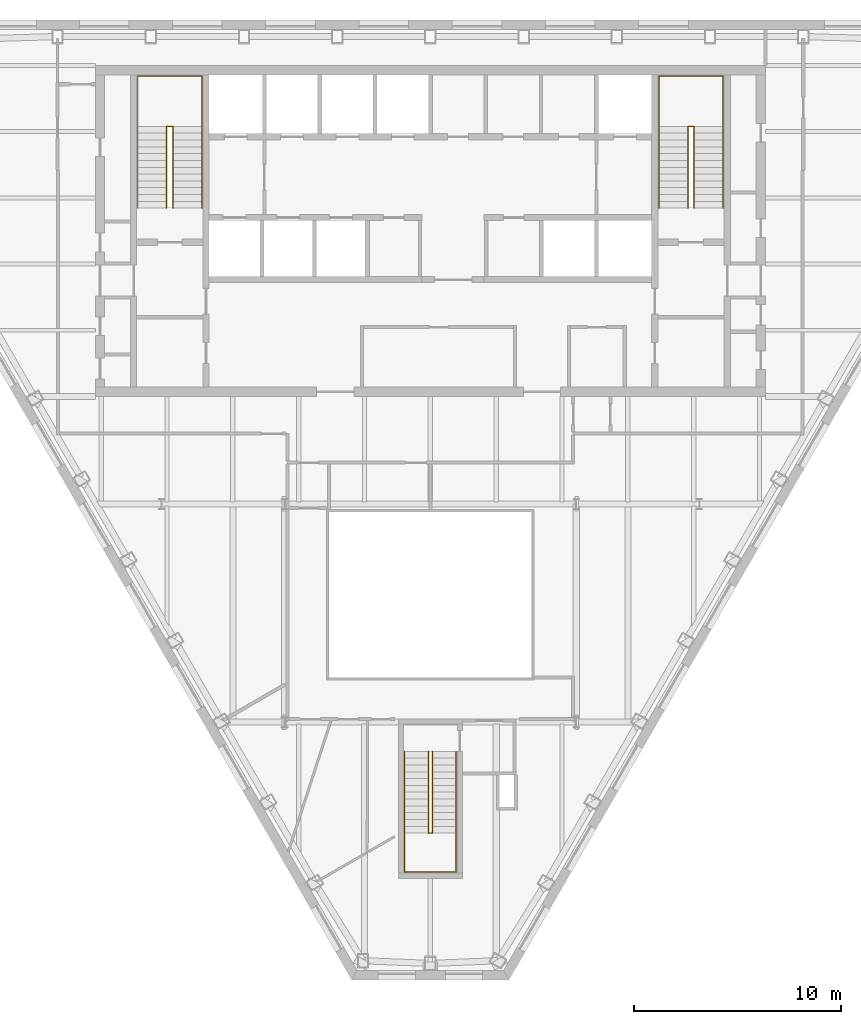
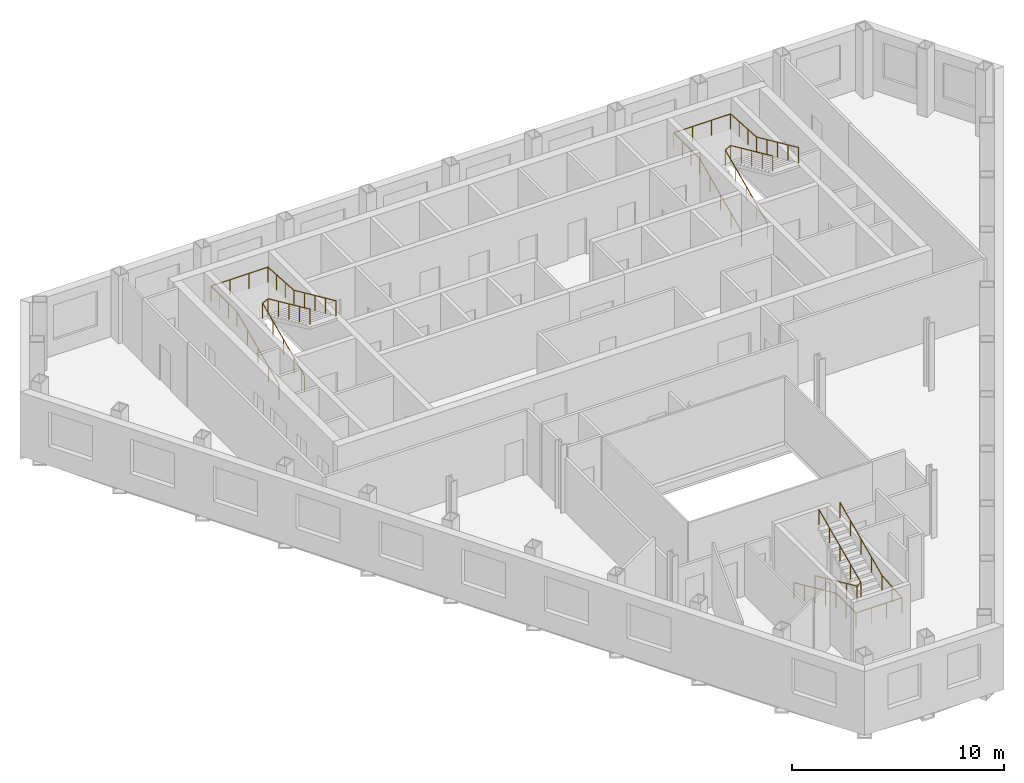
# One storey, part 10 of 10: 6 railings.
"""IFC4 building model written with IfcOpenShell, lengths in metres."""

from ifc_helpers import new_model, si_unit, direction, frame, origin, origin_2d, place, context, subcontext, project, spatial, circle, extrude, material, type_object, element, save


model = new_model("IFC4")

# Units and contexts
model_context = context("Model", 3, precision=1e-05, world=origin(), true_north=direction((0.0, 1.0)))
body_context = subcontext(model_context, "Body", "Model", "MODEL_VIEW")
ifc_project = project(units=[si_unit("LENGTHUNIT", "METRE"), si_unit("AREAUNIT", "SQUARE_METRE"), si_unit("VOLUMEUNIT", "CUBIC_METRE"), si_unit("PLANEANGLEUNIT", "RADIAN"), si_unit("MASSUNIT", "GRAM", prefix="KILO")], contexts=[model_context])

# Site, building, storey
site_placement = place(None, origin())
site = spatial("IfcSite", under=ifc_project, at=site_placement, CompositionType="ELEMENT")
building_placement = place(site_placement, origin())
building = spatial("IfcBuilding", under=site, at=building_placement, Name="Njiva Tower", CompositionType="ELEMENT")
storey_placement = place(building_placement, frame((0.0, 0.0, 192.6)))
storey = spatial("IfcBuildingStorey", under=building, at=storey_placement, Name="L42", CompositionType="ELEMENT", Elevation=192.6)

# Railings
ifc_material = material(Name="Stainless steel", Category="steel")
railing_type = type_object("IfcRailingType", Name="RL1 Stair handrail 900", PredefinedType="HANDRAIL", material=ifc_material)
railing_1_placement = place(storey_placement, frame((-14.15, 11.1, 0.15)))
element("IfcRailing", 1, at=railing_1_placement, inside=storey, type_object=railing_type, Name="Stair A handrail", PredefinedType="HANDRAIL", context=body_context, shape_type="SweptSolid", body=[
    extrude(circle(Radius=0.024, at=origin_2d()), frame((0.0, 0.0, 0.876), z_axis=(0.0, 0.910366477463, 0.413802944301), x_axis=(-1.0, 0.0, 0.0)), (0.0, 0.0, 1.0), 4.3499),
    extrude(circle(Radius=0.024, at=origin_2d()), frame((0.0, 3.96, 2.676), z_axis=(0.0, 1.0, 0.0), x_axis=(-1.0, 0.0, 0.0)), (0.0, 0.0, 1.0), 2.44),
    extrude(circle(Radius=0.024, at=origin_2d()), frame((0.0, 6.4, 2.676), z_axis=(1.0, 0.0, 0.0), x_axis=(0.0, 1.0, 0.0)), (0.0, 0.0, 1.0), 3.1),
    extrude(circle(Radius=0.024, at=origin_2d()), frame((3.1, 6.4, 2.676), z_axis=(0.0, -0.998115726137, 0.061359573328), x_axis=(1.0, 0.0, 0.0)), (0.0, 0.0, 1.0), 2.4446),
    extrude(circle(Radius=0.024, at=origin_2d()), frame((3.1, 3.96, 2.826), z_axis=(0.0, -0.910366477463, 0.413802944301), x_axis=(1.0, 0.0, 0.0)), (0.0, 0.0, 1.0), 4.3499),
    extrude(circle(Radius=0.021, at=origin_2d()), origin(), (0.0, 0.0, 1.0), 0.852),
    extrude(circle(Radius=0.021, at=origin_2d()), frame((0.0, 0.99, 0.45)), (0.0, 0.0, 1.0), 0.852),
    extrude(circle(Radius=0.021, at=origin_2d()), frame((0.0, 1.98, 0.9)), (0.0, 0.0, 1.0), 0.852),
    extrude(circle(Radius=0.021, at=origin_2d()), frame((0.0, 2.97, 1.35)), (0.0, 0.0, 1.0), 0.852),
    extrude(circle(Radius=0.021, at=origin_2d()), frame((0.0, 3.96, 1.8)), (0.0, 0.0, 1.0), 0.852),
    extrude(circle(Radius=0.021, at=origin_2d()), frame((0.0, 4.7733, 1.8)), (0.0, 0.0, 1.0), 0.852),
    extrude(circle(Radius=0.021, at=origin_2d()), frame((0.0, 5.5867, 1.8)), (0.0, 0.0, 1.0), 0.852),
    extrude(circle(Radius=0.021, at=origin_2d()), frame((0.0, 6.4, 1.8)), (0.0, 0.0, 1.0), 0.852),
    extrude(circle(Radius=0.021, at=origin_2d()), frame((1.0333, 6.4, 1.8)), (0.0, 0.0, 1.0), 0.852),
    extrude(circle(Radius=0.021, at=origin_2d()), frame((2.0667, 6.4, 1.8)), (0.0, 0.0, 1.0), 0.852),
    extrude(circle(Radius=0.021, at=origin_2d()), frame((3.1, 6.4, 1.8)), (0.0, 0.0, 1.0), 0.852),
    extrude(circle(Radius=0.021, at=origin_2d()), frame((3.1, 5.5867, 1.85)), (0.0, 0.0, 1.0), 0.852),
    extrude(circle(Radius=0.021, at=origin_2d()), frame((3.1, 4.7733, 1.9)), (0.0, 0.0, 1.0), 0.852),
    extrude(circle(Radius=0.021, at=origin_2d()), frame((3.1, 3.96, 1.95)), (0.0, 0.0, 1.0), 0.852),
    extrude(circle(Radius=0.021, at=origin_2d()), frame((3.1, 2.97, 2.4)), (0.0, 0.0, 1.0), 0.852),
    extrude(circle(Radius=0.021, at=origin_2d()), frame((3.1, 1.98, 2.85)), (0.0, 0.0, 1.0), 0.852),
    extrude(circle(Radius=0.021, at=origin_2d()), frame((3.1, 0.99, 3.3)), (0.0, 0.0, 1.0), 0.852),
    extrude(circle(Radius=0.021, at=origin_2d()), frame((3.1, 0.0, 3.75)), (0.0, 0.0, 1.0), 0.852),
])
railing_2_placement = place(storey_placement, frame((-12.75, 11.1, 0.15)))
element("IfcRailing", 2, at=railing_2_placement, inside=storey, type_object=railing_type, Name="Stair A handrail", PredefinedType="HANDRAIL", context=body_context, shape_type="SweptSolid", body=[
    extrude(circle(Radius=0.024, at=origin_2d()), frame((0.0, 0.0, 0.876), z_axis=(0.0, 0.910366477463, 0.413802944301), x_axis=(-1.0, 0.0, 0.0)), (0.0, 0.0, 1.0), 4.3499),
    extrude(circle(Radius=0.024, at=origin_2d()), frame((0.0, 3.96, 2.676), z_axis=(0.894427191, 0.0, 0.4472135955), x_axis=(0.0, 1.0, 0.0)), (0.0, 0.0, 1.0), 0.3354),
    extrude(circle(Radius=0.024, at=origin_2d()), frame((0.3, 3.96, 2.826), z_axis=(0.0, -0.910366477463, 0.413802944301), x_axis=(1.0, 0.0, 0.0)), (0.0, 0.0, 1.0), 4.3499),
    extrude(circle(Radius=0.021, at=origin_2d()), origin(), (0.0, 0.0, 1.0), 0.852),
    extrude(circle(Radius=0.021, at=origin_2d()), frame((0.0, 0.99, 0.45)), (0.0, 0.0, 1.0), 0.852),
    extrude(circle(Radius=0.021, at=origin_2d()), frame((0.0, 1.98, 0.9)), (0.0, 0.0, 1.0), 0.852),
    extrude(circle(Radius=0.021, at=origin_2d()), frame((0.0, 2.97, 1.35)), (0.0, 0.0, 1.0), 0.852),
    extrude(circle(Radius=0.021, at=origin_2d()), frame((0.0, 3.96, 1.8)), (0.0, 0.0, 1.0), 0.852),
    extrude(circle(Radius=0.021, at=origin_2d()), frame((0.3, 3.96, 1.95)), (0.0, 0.0, 1.0), 0.852),
    extrude(circle(Radius=0.021, at=origin_2d()), frame((0.3, 2.97, 2.4)), (0.0, 0.0, 1.0), 0.852),
    extrude(circle(Radius=0.021, at=origin_2d()), frame((0.3, 1.98, 2.85)), (0.0, 0.0, 1.0), 0.852),
    extrude(circle(Radius=0.021, at=origin_2d()), frame((0.3, 0.99, 3.3)), (0.0, 0.0, 1.0), 0.852),
    extrude(circle(Radius=0.021, at=origin_2d()), frame((0.3, 0.0, 3.75)), (0.0, 0.0, 1.0), 0.852),
])
railing_3_placement = place(storey_placement, frame((11.05, 11.1, 0.15)))
element("IfcRailing", 3, at=railing_3_placement, inside=storey, type_object=railing_type, Name="Stair B handrail", PredefinedType="HANDRAIL", context=body_context, shape_type="SweptSolid", body=[
    extrude(circle(Radius=0.024, at=origin_2d()), frame((0.0, 0.0, 0.876), z_axis=(0.0, 0.910366477463, 0.413802944301), x_axis=(-1.0, 0.0, 0.0)), (0.0, 0.0, 1.0), 4.3499),
    extrude(circle(Radius=0.024, at=origin_2d()), frame((0.0, 3.96, 2.676), z_axis=(0.0, 1.0, 0.0), x_axis=(-1.0, 0.0, 0.0)), (0.0, 0.0, 1.0), 2.44),
    extrude(circle(Radius=0.024, at=origin_2d()), frame((0.0, 6.4, 2.676), z_axis=(1.0, 0.0, 0.0), x_axis=(0.0, 1.0, 0.0)), (0.0, 0.0, 1.0), 3.1),
    extrude(circle(Radius=0.024, at=origin_2d()), frame((3.1, 6.4, 2.676), z_axis=(0.0, -0.998115726137, 0.061359573328), x_axis=(1.0, 0.0, 0.0)), (0.0, 0.0, 1.0), 2.4446),
    extrude(circle(Radius=0.024, at=origin_2d()), frame((3.1, 3.96, 2.826), z_axis=(0.0, -0.910366477463, 0.413802944301), x_axis=(1.0, 0.0, 0.0)), (0.0, 0.0, 1.0), 4.3499),
    extrude(circle(Radius=0.021, at=origin_2d()), origin(), (0.0, 0.0, 1.0), 0.852),
    extrude(circle(Radius=0.021, at=origin_2d()), frame((0.0, 0.99, 0.45)), (0.0, 0.0, 1.0), 0.852),
    extrude(circle(Radius=0.021, at=origin_2d()), frame((0.0, 1.98, 0.9)), (0.0, 0.0, 1.0), 0.852),
    extrude(circle(Radius=0.021, at=origin_2d()), frame((0.0, 2.97, 1.35)), (0.0, 0.0, 1.0), 0.852),
    extrude(circle(Radius=0.021, at=origin_2d()), frame((0.0, 3.96, 1.8)), (0.0, 0.0, 1.0), 0.852),
    extrude(circle(Radius=0.021, at=origin_2d()), frame((0.0, 4.7733, 1.8)), (0.0, 0.0, 1.0), 0.852),
    extrude(circle(Radius=0.021, at=origin_2d()), frame((0.0, 5.5867, 1.8)), (0.0, 0.0, 1.0), 0.852),
    extrude(circle(Radius=0.021, at=origin_2d()), frame((0.0, 6.4, 1.8)), (0.0, 0.0, 1.0), 0.852),
    extrude(circle(Radius=0.021, at=origin_2d()), frame((1.0333, 6.4, 1.8)), (0.0, 0.0, 1.0), 0.852),
    extrude(circle(Radius=0.021, at=origin_2d()), frame((2.0667, 6.4, 1.8)), (0.0, 0.0, 1.0), 0.852),
    extrude(circle(Radius=0.021, at=origin_2d()), frame((3.1, 6.4, 1.8)), (0.0, 0.0, 1.0), 0.852),
    extrude(circle(Radius=0.021, at=origin_2d()), frame((3.1, 5.5867, 1.85)), (0.0, 0.0, 1.0), 0.852),
    extrude(circle(Radius=0.021, at=origin_2d()), frame((3.1, 4.7733, 1.9)), (0.0, 0.0, 1.0), 0.852),
    extrude(circle(Radius=0.021, at=origin_2d()), frame((3.1, 3.96, 1.95)), (0.0, 0.0, 1.0), 0.852),
    extrude(circle(Radius=0.021, at=origin_2d()), frame((3.1, 2.97, 2.4)), (0.0, 0.0, 1.0), 0.852),
    extrude(circle(Radius=0.021, at=origin_2d()), frame((3.1, 1.98, 2.85)), (0.0, 0.0, 1.0), 0.852),
    extrude(circle(Radius=0.021, at=origin_2d()), frame((3.1, 0.99, 3.3)), (0.0, 0.0, 1.0), 0.852),
    extrude(circle(Radius=0.021, at=origin_2d()), frame((3.1, 0.0, 3.75)), (0.0, 0.0, 1.0), 0.852),
])
railing_4_placement = place(storey_placement, frame((12.45, 11.1, 0.15)))
element("IfcRailing", 4, at=railing_4_placement, inside=storey, type_object=railing_type, Name="Stair B handrail", PredefinedType="HANDRAIL", context=body_context, shape_type="SweptSolid", body=[
    extrude(circle(Radius=0.024, at=origin_2d()), frame((0.0, 0.0, 0.876), z_axis=(0.0, 0.910366477463, 0.413802944301), x_axis=(-1.0, 0.0, 0.0)), (0.0, 0.0, 1.0), 4.3499),
    extrude(circle(Radius=0.024, at=origin_2d()), frame((0.0, 3.96, 2.676), z_axis=(0.894427191, 0.0, 0.4472135955), x_axis=(0.0, 1.0, 0.0)), (0.0, 0.0, 1.0), 0.3354),
    extrude(circle(Radius=0.024, at=origin_2d()), frame((0.3, 3.96, 2.826), z_axis=(0.0, -0.910366477463, 0.413802944301), x_axis=(1.0, 0.0, 0.0)), (0.0, 0.0, 1.0), 4.3499),
    extrude(circle(Radius=0.021, at=origin_2d()), origin(), (0.0, 0.0, 1.0), 0.852),
    extrude(circle(Radius=0.021, at=origin_2d()), frame((0.0, 0.99, 0.45)), (0.0, 0.0, 1.0), 0.852),
    extrude(circle(Radius=0.021, at=origin_2d()), frame((0.0, 1.98, 0.9)), (0.0, 0.0, 1.0), 0.852),
    extrude(circle(Radius=0.021, at=origin_2d()), frame((0.0, 2.97, 1.35)), (0.0, 0.0, 1.0), 0.852),
    extrude(circle(Radius=0.021, at=origin_2d()), frame((0.0, 3.96, 1.8)), (0.0, 0.0, 1.0), 0.852),
    extrude(circle(Radius=0.021, at=origin_2d()), frame((0.3, 3.96, 1.95)), (0.0, 0.0, 1.0), 0.852),
    extrude(circle(Radius=0.021, at=origin_2d()), frame((0.3, 2.97, 2.4)), (0.0, 0.0, 1.0), 0.852),
    extrude(circle(Radius=0.021, at=origin_2d()), frame((0.3, 1.98, 2.85)), (0.0, 0.0, 1.0), 0.852),
    extrude(circle(Radius=0.021, at=origin_2d()), frame((0.3, 0.99, 3.3)), (0.0, 0.0, 1.0), 0.852),
    extrude(circle(Radius=0.021, at=origin_2d()), frame((0.3, 0.0, 3.75)), (0.0, 0.0, 1.0), 0.852),
])
railing_5_placement = place(storey_placement, frame((-1.25, -15.16, 0.15)))
element("IfcRailing", 5, at=railing_5_placement, inside=storey, type_object=railing_type, Name="Stair C handrail", PredefinedType="HANDRAIL", context=body_context, shape_type="SweptSolid", body=[
    extrude(circle(Radius=0.024, at=origin_2d()), frame((0.0, 0.0, 0.876), z_axis=(0.0, -0.910366477463, 0.413802944301), x_axis=(1.0, 0.0, 0.0)), (0.0, 0.0, 1.0), 4.3499),
    extrude(circle(Radius=0.024, at=origin_2d()), frame((0.0, -3.96, 2.676), z_axis=(0.0, -1.0, 0.0), x_axis=(1.0, 0.0, 0.0)), (0.0, 0.0, 1.0), 1.88),
    extrude(circle(Radius=0.024, at=origin_2d()), frame((0.0, -5.84, 2.676), z_axis=(1.0, 0.0, 0.0), x_axis=(0.0, 1.0, 0.0)), (0.0, 0.0, 1.0), 2.5),
    extrude(circle(Radius=0.024, at=origin_2d()), frame((2.5, -5.84, 2.676), z_axis=(0.0, 0.996832115713, 0.079534477318), x_axis=(-1.0, 0.0, 0.0)), (0.0, 0.0, 1.0), 1.886),
    extrude(circle(Radius=0.024, at=origin_2d()), frame((2.5, -3.96, 2.826), z_axis=(0.0, 0.910366477463, 0.413802944301), x_axis=(-1.0, 0.0, 0.0)), (0.0, 0.0, 1.0), 4.3499),
    extrude(circle(Radius=0.021, at=origin_2d()), origin(), (0.0, 0.0, 1.0), 0.852),
    extrude(circle(Radius=0.021, at=origin_2d()), frame((0.0, -0.99, 0.45)), (0.0, 0.0, 1.0), 0.852),
    extrude(circle(Radius=0.021, at=origin_2d()), frame((0.0, -1.98, 0.9)), (0.0, 0.0, 1.0), 0.852),
    extrude(circle(Radius=0.021, at=origin_2d()), frame((0.0, -2.97, 1.35)), (0.0, 0.0, 1.0), 0.852),
    extrude(circle(Radius=0.021, at=origin_2d()), frame((0.0, -3.96, 1.8)), (0.0, 0.0, 1.0), 0.852),
    extrude(circle(Radius=0.021, at=origin_2d()), frame((0.0, -4.9, 1.8)), (0.0, 0.0, 1.0), 0.852),
    extrude(circle(Radius=0.021, at=origin_2d()), frame((0.0, -5.84, 1.8)), (0.0, 0.0, 1.0), 0.852),
    extrude(circle(Radius=0.021, at=origin_2d()), frame((0.8333, -5.84, 1.8)), (0.0, 0.0, 1.0), 0.852),
    extrude(circle(Radius=0.021, at=origin_2d()), frame((1.6667, -5.84, 1.8)), (0.0, 0.0, 1.0), 0.852),
    extrude(circle(Radius=0.021, at=origin_2d()), frame((2.5, -5.84, 1.8)), (0.0, 0.0, 1.0), 0.852),
    extrude(circle(Radius=0.021, at=origin_2d()), frame((2.5, -4.9, 1.875)), (0.0, 0.0, 1.0), 0.852),
    extrude(circle(Radius=0.021, at=origin_2d()), frame((2.5, -3.96, 1.95)), (0.0, 0.0, 1.0), 0.852),
    extrude(circle(Radius=0.021, at=origin_2d()), frame((2.5, -2.97, 2.4)), (0.0, 0.0, 1.0), 0.852),
    extrude(circle(Radius=0.021, at=origin_2d()), frame((2.5, -1.98, 2.85)), (0.0, 0.0, 1.0), 0.852),
    extrude(circle(Radius=0.021, at=origin_2d()), frame((2.5, -0.99, 3.3)), (0.0, 0.0, 1.0), 0.852),
    extrude(circle(Radius=0.021, at=origin_2d()), frame((2.5, 0.0, 3.75)), (0.0, 0.0, 1.0), 0.852),
])
railing_6_placement = place(storey_placement, frame((-0.1, -15.16, 0.15)))
element("IfcRailing", 6, at=railing_6_placement, inside=storey, type_object=railing_type, Name="Stair C handrail", PredefinedType="HANDRAIL", context=body_context, shape_type="SweptSolid", body=[
    extrude(circle(Radius=0.024, at=origin_2d()), frame((0.0, 0.0, 0.876), z_axis=(0.0, -0.910366477463, 0.413802944301), x_axis=(1.0, 0.0, 0.0)), (0.0, 0.0, 1.0), 4.3499),
    extrude(circle(Radius=0.024, at=origin_2d()), frame((0.0, -3.96, 2.676), z_axis=(0.8, 0.0, 0.6), x_axis=(0.0, 1.0, 0.0)), (0.0, 0.0, 1.0), 0.25),
    extrude(circle(Radius=0.024, at=origin_2d()), frame((0.2, -3.96, 2.826), z_axis=(0.0, 0.910366477463, 0.413802944301), x_axis=(-1.0, 0.0, 0.0)), (0.0, 0.0, 1.0), 4.3499),
    extrude(circle(Radius=0.021, at=origin_2d()), origin(), (0.0, 0.0, 1.0), 0.852),
    extrude(circle(Radius=0.021, at=origin_2d()), frame((0.0, -0.99, 0.45)), (0.0, 0.0, 1.0), 0.852),
    extrude(circle(Radius=0.021, at=origin_2d()), frame((0.0, -1.98, 0.9)), (0.0, 0.0, 1.0), 0.852),
    extrude(circle(Radius=0.021, at=origin_2d()), frame((0.0, -2.97, 1.35)), (0.0, 0.0, 1.0), 0.852),
    extrude(circle(Radius=0.021, at=origin_2d()), frame((0.0, -3.96, 1.8)), (0.0, 0.0, 1.0), 0.852),
    extrude(circle(Radius=0.021, at=origin_2d()), frame((0.2, -3.96, 1.95)), (0.0, 0.0, 1.0), 0.852),
    extrude(circle(Radius=0.021, at=origin_2d()), frame((0.2, -2.97, 2.4)), (0.0, 0.0, 1.0), 0.852),
    extrude(circle(Radius=0.021, at=origin_2d()), frame((0.2, -1.98, 2.85)), (0.0, 0.0, 1.0), 0.852),
    extrude(circle(Radius=0.021, at=origin_2d()), frame((0.2, -0.99, 3.3)), (0.0, 0.0, 1.0), 0.852),
    extrude(circle(Radius=0.021, at=origin_2d()), frame((0.2, 0.0, 3.75)), (0.0, 0.0, 1.0), 0.852),
])

save(model, "model.ifc")
